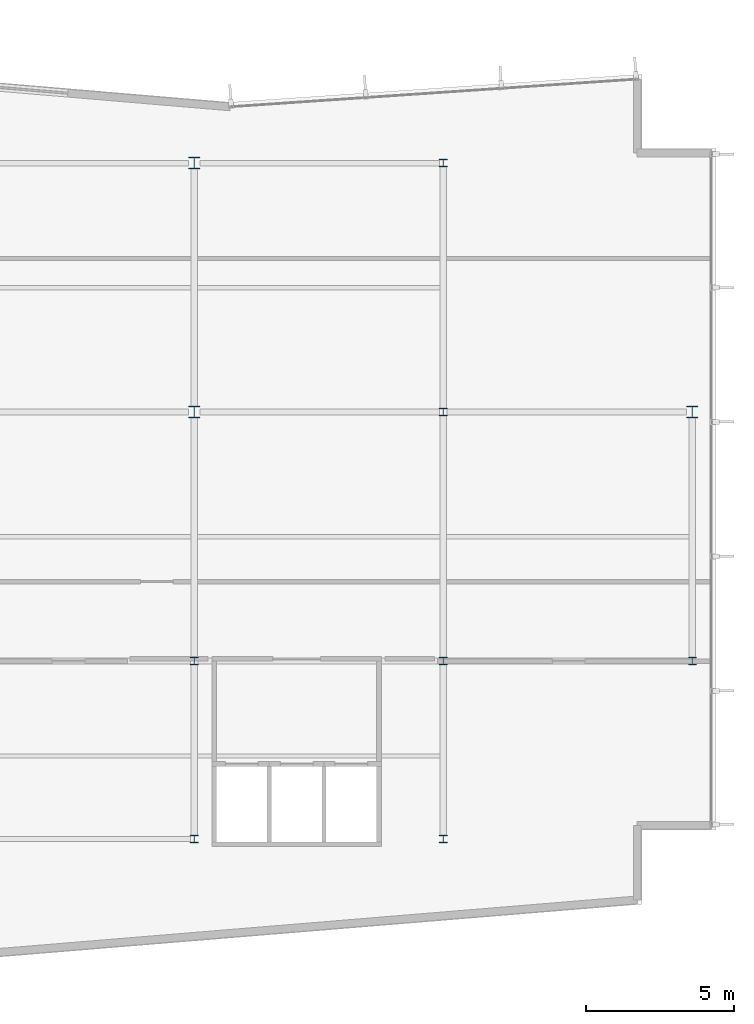
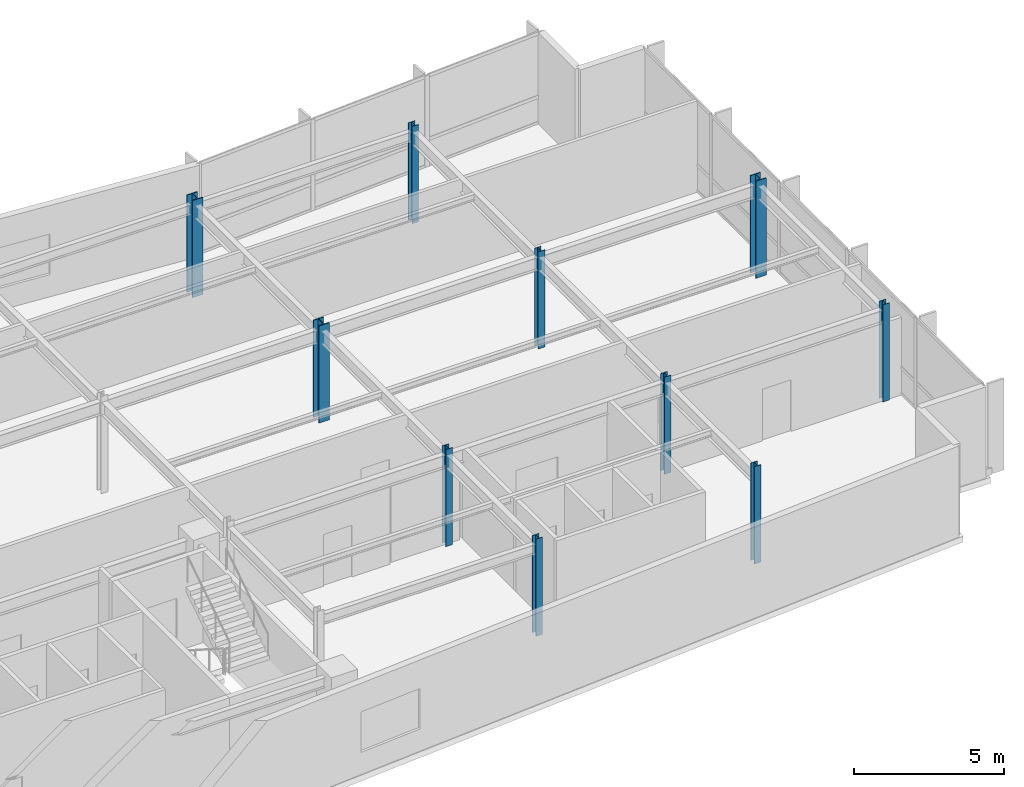
# One storey, part 2 of 16: 10 columns.
"""IFC4 building model written with IfcOpenShell, lengths in metres."""

import ifcopenshell
import ifcopenshell.guid

model = None  # the IFC model being written
_history = None  # IfcOwnerHistory: only IFC2X3 demands one
_inside = {}  # id of a spatial element -> (the spatial element, [elements in it])
_under = {}  # id of a project, library or spatial element -> (it, [spatial elements below it])
_declared = {}  # id of a project -> (the project, [libraries it declares])
_typed = {}  # id of a type object -> (the type object, [elements of that type])
_made_of = {}  # id of a material, layer set ... -> (it, [elements and type objects made of it])


def new_model(schema):
    """Start an empty IFC model of exactly this schema.

    Asked for "IFC4X3", IfcOpenShell would pick the latest addendum, in which some entities
    have other attributes; the version numbers below select the first issue.
    IFC2X3 requires an IfcOwnerHistory on every rooted entity: one is made here for all.
    """
    global model, _history
    if schema == "IFC4X3":
        model = ifcopenshell.file(schema_version=(4, 3, 0, 0))
    else:
        model = ifcopenshell.file(schema=schema)
    _inside.clear()
    _under.clear()
    _declared.clear()
    _typed.clear()
    _made_of.clear()
    _history = None
    if model.schema == "IFC2X3":
        org = make("IfcOrganization", Name="unknown")
        user = make(
            "IfcPersonAndOrganization",
            ThePerson=make("IfcPerson", FamilyName="unknown"),
            TheOrganization=org,
        )
        app = make(
            "IfcApplication",
            ApplicationDeveloper=org,
            Version="unknown",
            ApplicationFullName="unknown",
            ApplicationIdentifier="unknown",
        )
        _history = make(
            "IfcOwnerHistory",
            OwningUser=user,
            OwningApplication=app,
            ChangeAction="ADDED",
            CreationDate=0,
        )
    return model


def make(cls, **values):
    """One entity of the class cls with the attributes given. An attribute that is None is left unset."""
    return model.create_entity(
        cls, **{name: value for name, value in values.items() if value is not None}
    )


def rooted(cls, **values):
    """An entity with a GlobalId (a new one), such as an element, a storey or a relation."""
    return make(cls, GlobalId=ifcopenshell.guid.new(), OwnerHistory=_history, **values)


def si_unit(unit_type, name, prefix=None):
    """IfcSIUnit, for example si_unit("LENGTHUNIT", "METRE", prefix="MILLI")."""
    return make("IfcSIUnit", UnitType=unit_type, Prefix=prefix, Name=name)


def assignment(units):
    """IfcUnitAssignment: the units of a project."""
    return None if units is None else make("IfcUnitAssignment", Units=units)


def point(xyz):
    """IfcCartesianPoint."""
    return None if xyz is None else make("IfcCartesianPoint", Coordinates=xyz)


def direction(xyz):
    """IfcDirection."""
    return None if xyz is None else make("IfcDirection", DirectionRatios=xyz)


def frame(location, z_axis=None, x_axis=None):
    """IfcAxis2Placement3D, a coordinate frame: its origin and axes. An axis left out is left unset."""
    return make(
        "IfcAxis2Placement3D",
        Location=point(location),
        Axis=direction(z_axis),
        RefDirection=direction(x_axis),
    )


def frame_2d(location, x_axis=None):
    """IfcAxis2Placement2D, a coordinate frame in the plane: its origin and x axis."""
    return make(
        "IfcAxis2Placement2D", Location=point(location), RefDirection=direction(x_axis)
    )


def origin():
    """The frame at (0, 0, 0) with its axes left unset."""
    return frame((0.0, 0.0, 0.0))


def origin_2d():
    """The frame at (0, 0) in the plane with its x axis left unset."""
    return frame_2d((0.0, 0.0))


def place(relative_to, where):
    """IfcLocalPlacement: puts the frame where relative to a parent placement (None: the world)."""
    return make(
        "IfcLocalPlacement", PlacementRelTo=relative_to, RelativePlacement=where
    )


def context(
    kind, dimensions, precision=None, world=None, true_north=None, identifier=None
):
    """IfcGeometricRepresentationContext, for example the 3D "Model" context."""
    return make(
        "IfcGeometricRepresentationContext",
        ContextIdentifier=identifier,
        ContextType=kind,
        CoordinateSpaceDimension=dimensions,
        Precision=precision,
        WorldCoordinateSystem=world,
        TrueNorth=true_north,
    )


def subcontext(parent, identifier, kind, view, scale=None):
    """IfcGeometricRepresentationSubContext, for example "Body" below "Model"."""
    return make(
        "IfcGeometricRepresentationSubContext",
        ContextIdentifier=identifier,
        ContextType=kind,
        ParentContext=parent,
        TargetScale=scale,
        TargetView=view,
    )


def project(units=None, contexts=None):
    """IfcProject with its units and contexts."""
    return rooted(
        "IfcProject",
        Name="project",
        RepresentationContexts=contexts,
        UnitsInContext=assignment(units),
    )


def spatial(cls, under=None, at=None, **own):
    """A site, building, storey or space (cls), placed at a placement, below another one or the project."""
    s = rooted(cls, ObjectPlacement=at, **own)
    if under is not None:
        _under.setdefault(under.id(), (under, []))[1].append(s)
    return s


def profile(cls, at=None, kind="AREA", **sizes):
    """A parametric profile (cls). Its sizes go by their IFC names, for example OverallWidth=200.0."""
    return make(cls, ProfileType=kind, Position=at, **sizes)


def i_section(**sizes):
    """IfcIShapeProfileDef."""
    return profile("IfcIShapeProfileDef", **sizes)


def extrude(swept, where, along, depth):
    """IfcExtrudedAreaSolid: the profile swept, set in the frame where, extruded along a direction by depth."""
    return make(
        "IfcExtrudedAreaSolid",
        SweptArea=swept,
        Position=where,
        ExtrudedDirection=direction(along),
        Depth=depth,
    )


def shape(context_of_items, identifier, shape_type, items):
    """IfcShapeRepresentation: the items that make up one representation, for example the "Body"."""
    return make(
        "IfcShapeRepresentation",
        ContextOfItems=context_of_items,
        RepresentationIdentifier=identifier,
        RepresentationType=shape_type,
        Items=items,
    )


def material(Name=None, Category=None):
    """IfcMaterial."""
    return make("IfcMaterial", Name=Name, Category=Category)


def material_profile(
    of_material, cross_section, Name=None, Category=None, Priority=None
):
    """IfcMaterialProfile: a cross section and its material."""
    return make(
        "IfcMaterialProfile",
        Name=Name,
        Material=of_material,
        Profile=cross_section,
        Priority=Priority,
        Category=Category,
    )


def profile_set(profiles, Name=None, composite=None):
    """IfcMaterialProfileSet."""
    return make(
        "IfcMaterialProfileSet",
        Name=Name,
        MaterialProfiles=profiles,
        CompositeProfile=composite,
    )


def made_of(thing, what):
    """Note that an element or type object is made of a material, layer set ...; save() writes the relation."""
    if what is not None:
        _made_of.setdefault(what.id(), (what, []))[1].append(thing)
    return thing


def type_object(cls, material=None, **own):
    """A type object (cls), such as IfcWallType, which elements share."""
    return made_of(rooted(cls, **own), material)


def element(
    cls,
    number,
    at=None,
    inside=None,
    cuts=None,
    type_object=None,
    material=None,
    context=None,
    identifier="Body",
    shape_type=None,
    held_by="IfcProductDefinitionShape",
    body=None,
    shapes=None,
    **own,
):
    """One element of the class cls, such as IfcWall. Its Tag is "e" and its number.

    at: its placement. inside: the storey or other place that contains it. cuts: it is an
    opening in that element (IfcRelVoidsElement). A single representation is given by context,
    identifier, shape_type and body (its items); several are given by shapes. held_by: the class
    of the entity that holds the representations. save() writes the other relations.
    """
    e = rooted(cls, Tag="e%d" % number, ObjectPlacement=at, **own)
    if body is not None:
        shapes = [shape(context, identifier, shape_type, body)]
    if shapes is not None:
        e.Representation = make(held_by, Representations=shapes)
    if inside is not None:
        _inside.setdefault(inside.id(), (inside, []))[1].append(e)
    if cuts is not None:
        rooted(
            "IfcRelVoidsElement", RelatingBuildingElement=cuts, RelatedOpeningElement=e
        )
    if type_object is not None:
        _typed.setdefault(type_object.id(), (type_object, []))[1].append(e)
    return made_of(e, material)


def aggregate(whole, parts):
    """IfcRelAggregates: a whole, such as a stair, and the parts it consists of."""
    return rooted("IfcRelAggregates", RelatingObject=whole, RelatedObjects=parts)


def save(model, path):
    """Write the relations noted so far, then the file.

    IfcRelAggregates (storeys below a building ...), IfcRelContainedInSpatialStructure (elements
    in a storey), IfcRelDefinesByType, IfcRelAssociatesMaterial and IfcRelDeclares: one each for
    every whole, place, type object, material and project.
    """
    for whole, parts in _under.values():
        aggregate(whole, parts)
    for where, things in _inside.values():
        rooted(
            "IfcRelContainedInSpatialStructure",
            RelatedElements=things,
            RelatingStructure=where,
        )
    for kind, things in _typed.values():
        rooted("IfcRelDefinesByType", RelatedObjects=things, RelatingType=kind)
    for what, things in _made_of.values():
        rooted("IfcRelAssociatesMaterial", RelatedObjects=things, RelatingMaterial=what)
    for by, libraries in _declared.values():
        rooted("IfcRelDeclares", RelatingContext=by, RelatedDefinitions=libraries)
    model.write(path)


model = new_model("IFC4")

# Units and contexts
model_context = context("Model", 3, precision=1e-05, world=origin(), true_north=direction((0.0, 1.0)))
body_context = subcontext(model_context, "Body", "Model", "MODEL_VIEW")
ifc_project = project(units=[si_unit("LENGTHUNIT", "METRE"), si_unit("AREAUNIT", "SQUARE_METRE"), si_unit("VOLUMEUNIT", "CUBIC_METRE"), si_unit("PLANEANGLEUNIT", "RADIAN"), si_unit("MASSUNIT", "GRAM", prefix="KILO")], contexts=[model_context])

# Site, building, storey
site_placement = place(None, origin())
site = spatial("IfcSite", under=ifc_project, at=site_placement, CompositionType="ELEMENT")
building_placement = place(site_placement, origin())
building = spatial("IfcBuilding", under=site, at=building_placement, Name="Varnakote Quay Hospital", CompositionType="ELEMENT")
storey_placement = place(building_placement, frame((0.0, 0.0, 180.25)))
storey = spatial("IfcBuildingStorey", under=building, at=storey_placement, Name="L44", CompositionType="ELEMENT", Elevation=180.25)

# Columns
ifc_material_1 = material(Name="Structural steel AS/NZS 3679.1 Grade 350 L0 (fy 340 MPa)", Category="steel")
ifc_material_profile_1 = material_profile(ifc_material_1, i_section(OverallWidth=0.256103515625, OverallDepth=0.260009765625, WebThickness=0.010498046875, FlangeThickness=0.017333984375, FilletRadius=0.0126953125, at=origin_2d()), Name="250UC89.5")
ifc_profile_set_1 = profile_set([ifc_material_profile_1], Name="Structural steel AS/NZS 3679.1 Grade 350 L0 (fy 340 MPa)")
column_type_1 = type_object("IfcColumnType", Name="COL-STL-250UC89-5", PredefinedType="COLUMN", material=ifc_profile_set_1)
for number, where, z_axis, x_axis, name in (
    (1, (33.60009765625, 6.0, 0.0), (0.0, 0.0, 1.0), (1.0, 0.0, 0.0), "L44 Structural Column C-34-6"),
    (2, (42.0, 6.0, 0.0), (0.0, 0.0, 1.0), (1.0, 0.0, 0.0), "L44 Structural Column C-42-6"),
    (3, (33.60009765625, 12.0, 0.0), (0.0, 0.0, 1.0), (1.0, 0.0, 0.0), "L44 Structural Column C-34-12"),
    (4, (42.0, 12.0, 0.0), (0.0, 0.0, 1.0), (1.0, 0.0, 0.0), "L44 Structural Column C-42-12"),
    (5, (50.39990234375, 12.0, 0.0), (0.0, 0.0, 1.0), (1.0, 0.0, 0.0), "L44 Structural Column C-50-12"),
    (6, (42.0, 20.39990234375, 0.0), (0.0, 0.0, 1.0), (1.0, 0.0, 0.0), "L44 Structural Column C-42-20"),
    (7, (42.0, 28.800048828125, 0.0), (0.0, 0.0, 1.0), (1.0, 0.0, 0.0), "L44 Structural Column C-42-29"),
):
    element("IfcColumn", number, at=place(storey_placement, frame(where, z_axis=z_axis, x_axis=x_axis)), inside=storey, type_object=column_type_1, Name=name, PredefinedType="COLUMN", context=body_context, shape_type="SweptSolid", body=[
        extrude(i_section(OverallWidth=0.256103515625, OverallDepth=0.260009765625, WebThickness=0.010498046875, FlangeThickness=0.017333984375, FilletRadius=0.0126953125, at=origin_2d()), origin(), (0.0, 0.0, 1.0), 3.949951171875),
    ])
ifc_material_2 = material(Name="Structural steel AS/NZS 3678 Grade 350 (fy 340 MPa)", Category="steel")
ifc_material_profile_2 = material_profile(ifc_material_2, i_section(OverallWidth=0.39990234375, OverallDepth=0.404052734375, WebThickness=0.02001953125, FlangeThickness=0.031982421875, at=origin_2d()), Name="400WC270")
ifc_profile_set_2 = profile_set([ifc_material_profile_2], Name="Structural steel AS/NZS 3678 Grade 350 (fy 340 MPa)")
column_type_2 = type_object("IfcColumnType", Name="COL-STL-400WC270", PredefinedType="COLUMN", material=ifc_profile_set_2)
for number, where, z_axis, x_axis, name in (
    (8, (33.60009765625, 20.39990234375, 0.0), (0.0, 0.0, 1.0), (1.0, 0.0, 0.0), "L44 Structural Column C-34-20"),
    (9, (50.39990234375, 20.39990234375, 0.0), (0.0, 0.0, 1.0), (1.0, 0.0, 0.0), "L44 Structural Column C-50-20"),
    (10, (33.60009765625, 28.800048828125, 0.0), (0.0, 0.0, 1.0), (1.0, 0.0, 0.0), "L44 Structural Column C-34-29"),
):
    element("IfcColumn", number, at=place(storey_placement, frame(where, z_axis=z_axis, x_axis=x_axis)), inside=storey, type_object=column_type_2, Name=name, PredefinedType="COLUMN", context=body_context, shape_type="SweptSolid", body=[
        extrude(i_section(OverallWidth=0.39990234375, OverallDepth=0.404052734375, WebThickness=0.02001953125, FlangeThickness=0.031982421875, at=origin_2d()), origin(), (0.0, 0.0, 1.0), 3.949951171875),
    ])

save(model, "model.ifc")
